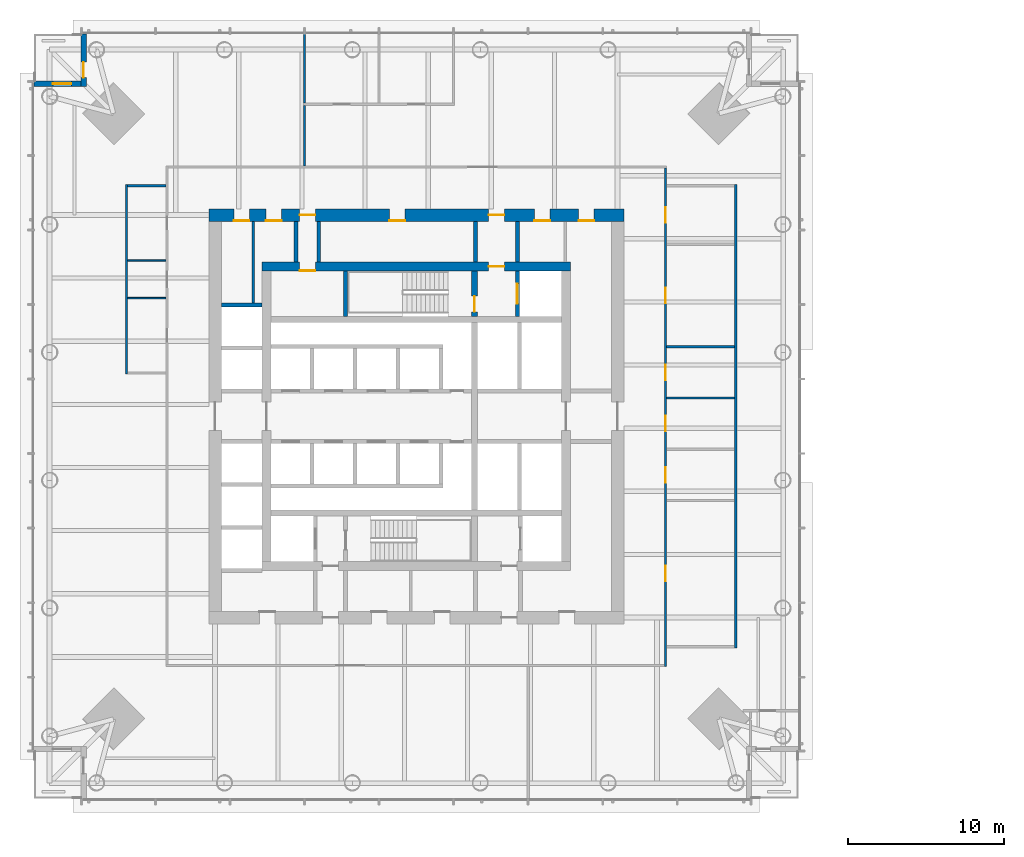
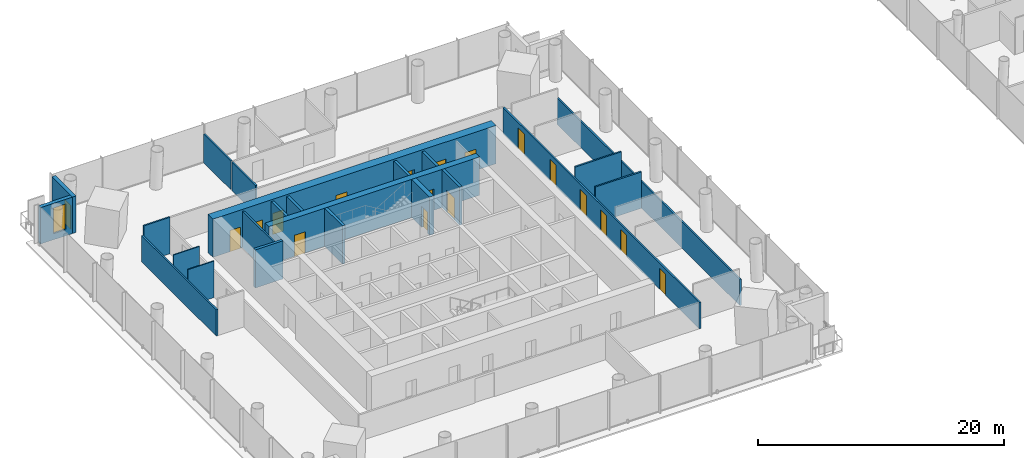
# One storey, part 11 of 26: 23 walls, 18 doors, 1 window, 19 openings.
"""IFC4 building model written with IfcOpenShell, lengths in metres."""

from ifc_helpers import new_model, si_unit, direction, frame, frame_2d, origin, place, context, subcontext, project, spatial, rectangle, extrude, material, layer, layer_set, type_object, element, fill, save


model = new_model("IFC4")

# Units and contexts
model_context = context("Model", 3, precision=1e-05, world=origin(), true_north=direction((0.0, 1.0)))
body_context = subcontext(model_context, "Body", "Model", "MODEL_VIEW")
ifc_project = project(units=[si_unit("LENGTHUNIT", "METRE"), si_unit("AREAUNIT", "SQUARE_METRE"), si_unit("VOLUMEUNIT", "CUBIC_METRE"), si_unit("PLANEANGLEUNIT", "RADIAN"), si_unit("MASSUNIT", "GRAM", prefix="KILO")], contexts=[model_context])

# Site, building, storey
site_placement = place(None, origin())
site = spatial("IfcSite", under=ifc_project, at=site_placement, CompositionType="ELEMENT")
building_placement = place(site_placement, origin())
building = spatial("IfcBuilding", under=site, at=building_placement, Name="Ostroluk Exchange", CompositionType="ELEMENT")
storey_placement = place(building_placement, frame((0.0, 0.0, 36.199951171875)))
storey = spatial("IfcBuildingStorey", under=building, at=storey_placement, Name="L08", CompositionType="ELEMENT", Elevation=36.199951171875)

# Walls
ifc_material_1 = material(Name="Concrete blockwork", Category="masonry")
ifc_layer_1 = layer(ifc_material_1, 0.10009765625)
ifc_layer_set_1 = layer_set([ifc_layer_1], Name="Blockwork WC wall 100")
wall_type_1 = type_object("IfcWallType", Name="Blockwork WC wall 100", PredefinedType="SOLIDWALL", material=ifc_layer_set_1)
for number, where, z_axis, x_axis, name in (
    (1, (28.949951171875, 55.97509765625, 0.0), (0.0, 0.0, 1.0), (-1.0, 0.0, 0.0), "Blockwork WC wall"),
    (2, (28.949951171875, 53.574951171875, 0.0), (0.0, 0.0, 1.0), (-1.0, 0.0, 0.0), "Blockwork WC wall"),
):
    element("IfcWall", number, at=place(storey_placement, frame(where, z_axis=z_axis, x_axis=x_axis)), inside=storey, type_object=wall_type_1, Name=name, PredefinedType="SOLIDWALL", context=body_context, shape_type="SweptSolid", body=[
        extrude(rectangle(XDim=2.449951171875, YDim=0.10009765625, at=frame_2d((1.22509765625, 0.0))), origin(), (0.0, 0.0, 1.0), 3.6201171875),
    ])
ifc_material_2 = material(Name="Concrete blockwork", Category="masonry")
ifc_layer_2 = layer(ifc_material_2, 0.14990234375)
ifc_layer_set_2 = layer_set([ifc_layer_2], Name="Blockwork plant room wall 150")
wall_type_2 = type_object("IfcWallType", Name="Blockwork plant room wall 150", PredefinedType="SOLIDWALL", material=ifc_layer_set_2)
wall_1_placement = place(storey_placement, frame((34.556884765625, 53.25, 0.0), z_axis=(0.0, 0.0, 1.0), x_axis=(0.0, 1.0, 0.0)))
element("IfcWall", 3, at=wall_1_placement, inside=storey, type_object=wall_type_2, Name="Core room wall", PredefinedType="SOLIDWALL", context=body_context, shape_type="SweptSolid", body=[
    extrude(rectangle(XDim=5.25, YDim=0.14990234375, at=frame_2d((2.625, 0.0))), origin(), (0.0, 0.0, 1.0), 3.6201171875),
])
ifc_material_3 = material(Name="Concrete blockwork", Category="masonry")
ifc_layer_3 = layer(ifc_material_3, 0.25)
ifc_layer_set_3 = layer_set([ifc_layer_3], Name="Blockwork stair enclosure wall 250")
wall_type_3 = type_object("IfcWallType", Name="Blockwork stair enclosure wall 250", PredefinedType="SOLIDWALL", material=ifc_layer_set_3)
for number, where, z_axis, x_axis, name in (
    (4, (48.804931640625, 55.89990234375, 0.0), (0.0, 0.0, 1.0), (0.0, 1.0, 0.0), "Fire lobby enclosure wall"),
    (5, (51.47509765625, 55.89990234375, 0.0), (0.0, 0.0, 1.0), (0.0, 1.0, 0.0), "Fire lobby enclosure wall"),
    (6, (37.300048828125, 55.89990234375, 0.0), (0.0, 0.0, 1.0), (0.0, 1.0, 0.0), "Core corridor wall"),
    (7, (38.75, 55.89990234375, 0.0), (0.0, 0.0, 1.0), (0.0, 1.0, 0.0), "Core corridor wall"),
):
    element("IfcWall", number, at=place(storey_placement, frame(where, z_axis=z_axis, x_axis=x_axis)), inside=storey, type_object=wall_type_3, Name=name, PredefinedType="SOLIDWALL", context=body_context, shape_type="SweptSolid", body=[
        extrude(rectangle(XDim=2.60009765625, YDim=0.25, at=frame_2d((1.300048828125, 0.0))), origin(), (0.0, 0.0, 1.0), 3.6201171875),
    ])

# Wall, opening, door
ifc_material_4 = material(Name="Concrete C50/60", Category="concrete")
ifc_layer_4 = layer(ifc_material_4, 0.39990234375)
ifc_layer_set_4 = layer_set([ifc_layer_4], Name="Core cross wall 400 C50/60")
wall_type_4 = type_object("IfcWallType", Name="Core cross wall 400 C50/60", PredefinedType="SHEAR", material=ifc_layer_set_4)
wall_2_placement = place(storey_placement, frame((48.72998046875, 52.39990234375, 0.0), z_axis=(0.0, 0.0, 1.0), x_axis=(0.0, 1.0, 0.0)))
wall_2 = element("IfcWall", 8, at=wall_2_placement, inside=storey, type_object=wall_type_4, Name="T1 core wall YE3", PredefinedType="SHEAR", context=body_context, shape_type="SweptSolid", body=[
    extrude(rectangle(XDim=2.900146484375, YDim=0.39990234375, at=frame_2d((1.4501953125, 0.0))), origin(), (0.0, 0.0, 1.0), 3.800048828125),
])
opening_1_placement = place(wall_2_placement, frame((0.300048828125, 0.0, 0.0)))
opening_1 = element("IfcOpeningElement", 9, at=opening_1_placement, cuts=wall_2, Name="Opening FD60", PredefinedType="OPENING", context=body_context, shape_type="SweptSolid", body=[
    extrude(rectangle(XDim=1.0, YDim=2.10009765625, at=frame_2d((0.5, 1.050048828125))), frame((0.0, 0.2099609375, 0.0), z_axis=(0.0, -1.0, 0.0), x_axis=(1.0, 0.0, 0.0)), (0.0, 0.0, 1.0), 0.419921875),
])
ifc_material_5 = material(Name="Steel", Category="steel")
door_type_1 = type_object("IfcDoorType", Name="Fire door EI 60 1000 x 2100", OperationType="SINGLE_SWING_LEFT", PredefinedType="DOOR", material=ifc_material_5)
door_1_placement = place(opening_1_placement, origin())
door_1 = element("IfcDoor", 10, at=door_1_placement, inside=storey, type_object=door_type_1, Name="Stair T1-S2 door", OperationType="SINGLE_SWING_LEFT", OverallHeight=2.10009765625, OverallWidth=1.0, PredefinedType="DOOR", context=body_context, shape_type="SweptSolid", body=[
    extrude(rectangle(XDim=1.0, YDim=2.10009765625, at=frame_2d((0.5, 1.050048828125))), frame((0.0, 0.02490234375, 0.0), z_axis=(0.0, -1.0, 0.0), x_axis=(1.0, 0.0, 0.0)), (0.0, 0.0, 1.0), 0.050048828125),
])
fill(opening_1, door_1)

# Wall
ifc_material_6 = material(Name="Concrete C40/50", Category="concrete")
ifc_layer_5 = layer(ifc_material_6, 0.25)
ifc_layer_set_5 = layer_set([ifc_layer_5], Name="Core shaft wall 250")
wall_type_5 = type_object("IfcWallType", Name="Core shaft wall 250", PredefinedType="SHEAR", material=ifc_layer_set_5)
wall_3_placement = place(storey_placement, frame((40.47509765625, 52.39990234375, 0.0), z_axis=(0.0, 0.0, 1.0), x_axis=(0.0, 1.0, 0.0)))
element("IfcWall", 11, at=wall_3_placement, inside=storey, type_object=wall_type_5, Name="Stair shaft wall", PredefinedType="SHEAR", context=body_context, shape_type="SweptSolid", body=[
    extrude(rectangle(XDim=2.900146484375, YDim=0.25, at=frame_2d((1.4501953125, 0.0))), origin(), (0.0, 0.0, 1.0), 3.800048828125),
])

# Wall, opening, door
wall_4_placement = place(storey_placement, frame((51.47509765625, 52.39990234375, 0.0), z_axis=(0.0, 0.0, 1.0), x_axis=(0.0, 1.0, 0.0)))
wall_4 = element("IfcWall", 12, at=wall_4_placement, inside=storey, type_object=wall_type_5, Name="Firefighting lift shaft wall", PredefinedType="SHEAR", context=body_context, shape_type="SweptSolid", body=[
    extrude(rectangle(XDim=2.900146484375, YDim=0.25, at=frame_2d((1.4501953125, 0.0))), origin(), (0.0, 0.0, 1.0), 3.800048828125),
])
opening_2_placement = place(wall_4_placement, frame((0.800048828125, 0.0, 0.0)))
opening_2 = element("IfcOpeningElement", 13, at=opening_2_placement, cuts=wall_4, Name="Opening LD2", PredefinedType="OPENING", context=body_context, shape_type="SweptSolid", body=[
    extrude(rectangle(XDim=1.300048828125, YDim=2.199951171875, at=frame_2d((0.64990234375, 1.10009765625))), frame((0.0, 0.135009765625, 0.0), z_axis=(0.0, -1.0, 0.0), x_axis=(1.0, 0.0, 0.0)), (0.0, 0.0, 1.0), 0.27001953125),
])
ifc_material_7 = material(Name="Stainless steel", Category="steel")
door_type_2 = type_object("IfcDoorType", Name="Lift landing door E 60 1300 x 2200", OperationType="DOUBLE_DOOR_SLIDING", PredefinedType="DOOR", material=ifc_material_7)
door_2_placement = place(opening_2_placement, origin())
door_2 = element("IfcDoor", 14, at=door_2_placement, inside=storey, type_object=door_type_2, Name="Lift FL2 landing door", OperationType="DOUBLE_DOOR_SLIDING", OverallHeight=2.199951171875, OverallWidth=1.300048828125, PredefinedType="DOOR", context=body_context, shape_type="SweptSolid", body=[
    extrude(rectangle(XDim=1.300048828125, YDim=2.199951171875, at=frame_2d((0.64990234375, 1.10009765625))), frame((0.0, 0.02490234375, 0.0), z_axis=(0.0, -1.0, 0.0), x_axis=(1.0, 0.0, 0.0)), (0.0, 0.0, 1.0), 0.050048828125),
])
fill(opening_2, door_2)

# Wall
wall_5_placement = place(storey_placement, frame((32.5, 53.125, 0.0), z_axis=(0.0, 0.0, 1.0), x_axis=(1.0, 0.0, 0.0)))
element("IfcWall", 15, at=wall_5_placement, inside=storey, type_object=wall_type_5, Name="Lift shaft wall", PredefinedType="SHEAR", context=body_context, shape_type="SweptSolid", body=[
    extrude(rectangle(XDim=2.60009765625, YDim=0.25, at=frame_2d((1.300048828125, 0.0))), origin(), (0.0, 0.0, 1.0), 3.800048828125),
])

# Wall, openings, doors
ifc_material_8 = material(Name="Concrete C50/60", Category="concrete")
ifc_layer_6 = layer(ifc_material_8, 0.60009765625)
ifc_layer_set_6 = layer_set([ifc_layer_6], Name="Core wall 600 C50/60")
wall_type_6 = type_object("IfcWallType", Name="Core wall 600 C50/60", PredefinedType="SHEAR", material=ifc_layer_set_6)
wall_6_placement = place(storey_placement, frame((35.10009765625, 55.60009765625, 0.0), z_axis=(0.0, 0.0, 1.0), x_axis=(1.0, 0.0, 0.0)))
wall_6 = element("IfcWall", 16, at=wall_6_placement, inside=storey, type_object=wall_type_6, Name="T1 core wall N", PredefinedType="SHEAR", context=body_context, shape_type="SweptSolid", body=[
    extrude(rectangle(XDim=19.7998046875, YDim=0.60009765625, at=frame_2d((9.89990234375, 0.0))), origin(), (0.0, 0.0, 1.0), 3.800048828125),
])
opening_3_placement = place(wall_6_placement, frame((14.5400390625, 0.0, 0.0)))
opening_3 = element("IfcOpeningElement", 17, at=opening_3_placement, cuts=wall_6, Name="Opening FD60", PredefinedType="OPENING", context=body_context, shape_type="SweptSolid", body=[
    extrude(rectangle(XDim=1.0, YDim=2.10009765625, at=frame_2d((0.5, 1.050048828125))), frame((0.0, 0.31005859375, 0.0), z_axis=(0.0, -1.0, 0.0), x_axis=(1.0, 0.0, 0.0)), (0.0, 0.0, 1.0), 0.6201171875),
])
opening_4_placement = place(wall_6_placement, frame((2.425048828125, 0.0, 0.0)))
opening_4 = element("IfcOpeningElement", 18, at=opening_4_placement, cuts=wall_6, Name="Opening FD60", PredefinedType="OPENING", context=body_context, shape_type="SweptSolid", body=[
    extrude(rectangle(XDim=1.0, YDim=2.10009765625, at=frame_2d((0.5, 1.050048828125))), frame((0.0, 0.31005859375, 0.0), z_axis=(0.0, -1.0, 0.0), x_axis=(1.0, 0.0, 0.0)), (0.0, 0.0, 1.0), 0.6201171875),
])
door_3_placement = place(opening_3_placement, origin())
door_3 = element("IfcDoor", 19, at=door_3_placement, inside=storey, type_object=door_type_1, Name="Firefighting lobby door", OperationType="SINGLE_SWING_RIGHT", OverallHeight=2.10009765625, OverallWidth=1.0, PredefinedType="DOOR", context=body_context, shape_type="SweptSolid", body=[
    extrude(rectangle(XDim=1.0, YDim=2.10009765625, at=frame_2d((0.5, 1.050048828125))), frame((0.0, 0.02490234375, 0.0), z_axis=(0.0, -1.0, 0.0), x_axis=(1.0, 0.0, 0.0)), (0.0, 0.0, 1.0), 0.050048828125),
])
fill(opening_3, door_3)
door_4_placement = place(opening_4_placement, origin())
door_4 = element("IfcDoor", 20, at=door_4_placement, inside=storey, type_object=door_type_1, Name="Tea point door", OperationType="SINGLE_SWING_LEFT", OverallHeight=2.10009765625, OverallWidth=1.0, PredefinedType="DOOR", context=body_context, shape_type="SweptSolid", body=[
    extrude(rectangle(XDim=1.0, YDim=2.10009765625, at=frame_2d((0.5, 1.050048828125))), frame((0.0, -0.23974609375, 0.0), z_axis=(0.0, -1.0, 0.0), x_axis=(1.0, 0.0, 0.0)), (0.0, 0.0, 1.0), 0.050048828125),
])
fill(opening_4, door_4)

ifc_material_9 = material(Name="Concrete C50/60", Category="concrete")
ifc_layer_7 = layer(ifc_material_9, 0.800048828125)
ifc_layer_set_7 = layer_set([ifc_layer_7], Name="Core wall 800 C50/60")
wall_type_7 = type_object("IfcWallType", Name="Core wall 800 C50/60", PredefinedType="SHEAR", material=ifc_layer_set_7)
wall_7_placement = place(storey_placement, frame((31.699951171875, 58.89990234375, 0.0), z_axis=(0.0, 0.0, 1.0), x_axis=(1.0, 0.0, 0.0)))
wall_7 = element("IfcWall", 21, at=wall_7_placement, inside=storey, type_object=wall_type_7, Name="T1 core wall RN", PredefinedType="SHEAR", context=body_context, shape_type="SweptSolid", body=[
    extrude(rectangle(XDim=26.60009765625, YDim=0.800048828125, at=frame_2d((13.300048828125, 0.0))), origin(), (0.0, 0.0, 1.0), 3.800048828125),
])
opening_5_placement = place(wall_7_placement, frame((17.93994140625, 0.0, 0.0)))
opening_5 = element("IfcOpeningElement", 22, at=opening_5_placement, cuts=wall_7, Name="Opening FD60", PredefinedType="OPENING", context=body_context, shape_type="SweptSolid", body=[
    extrude(rectangle(XDim=1.0, YDim=2.10009765625, at=frame_2d((0.5, 1.050048828125))), frame((0.0, 0.409912109375, 0.0), z_axis=(0.0, -1.0, 0.0), x_axis=(1.0, 0.0, 0.0)), (0.0, 0.0, 1.0), 0.820068359375),
])
opening_6_placement = place(wall_7_placement, frame((5.824951171875, 0.0, 0.0)))
opening_6 = element("IfcOpeningElement", 23, at=opening_6_placement, cuts=wall_7, Name="Opening FD60", PredefinedType="OPENING", context=body_context, shape_type="SweptSolid", body=[
    extrude(rectangle(XDim=1.0, YDim=2.10009765625, at=frame_2d((0.5, 1.050048828125))), frame((0.0, 0.409912109375, 0.0), z_axis=(0.0, -1.0, 0.0), x_axis=(1.0, 0.0, 0.0)), (0.0, 0.0, 1.0), 0.820068359375),
])
opening_7_placement = place(wall_7_placement, frame((1.60693359375, 0.0, 0.0)))
opening_7 = element("IfcOpeningElement", 24, at=opening_7_placement, cuts=wall_7, Name="Opening FD60", PredefinedType="OPENING", context=body_context, shape_type="SweptSolid", body=[
    extrude(rectangle(XDim=1.0, YDim=2.10009765625, at=frame_2d((0.5, 1.050048828125))), frame((0.0, 0.409912109375, 0.0), z_axis=(0.0, -1.0, 0.0), x_axis=(1.0, 0.0, 0.0)), (0.0, 0.0, 1.0), 0.820068359375),
])
opening_8_placement = place(wall_7_placement, frame((3.666015625, 0.0, 0.0)))
opening_8 = element("IfcOpeningElement", 25, at=opening_8_placement, cuts=wall_7, Name="Opening FD60", PredefinedType="OPENING", context=body_context, shape_type="SweptSolid", body=[
    extrude(rectangle(XDim=1.0, YDim=2.10009765625, at=frame_2d((0.5, 1.050048828125))), frame((0.0, 0.409912109375, 0.0), z_axis=(0.0, -1.0, 0.0), x_axis=(1.0, 0.0, 0.0)), (0.0, 0.0, 1.0), 0.820068359375),
])
opening_9_placement = place(wall_7_placement, frame((11.577392578125, 0.0, 0.0)))
opening_9 = element("IfcOpeningElement", 26, at=opening_9_placement, cuts=wall_7, Name="Opening FD60", PredefinedType="OPENING", context=body_context, shape_type="SweptSolid", body=[
    extrude(rectangle(XDim=1.0, YDim=2.10009765625, at=frame_2d((0.5, 1.050048828125))), frame((0.0, 0.409912109375, 0.0), z_axis=(0.0, -1.0, 0.0), x_axis=(1.0, 0.0, 0.0)), (0.0, 0.0, 1.0), 0.820068359375),
])
opening_10_placement = place(wall_7_placement, frame((20.875, 0.0, 0.0)))
opening_10 = element("IfcOpeningElement", 27, at=opening_10_placement, cuts=wall_7, Name="Opening FD60", PredefinedType="OPENING", context=body_context, shape_type="SweptSolid", body=[
    extrude(rectangle(XDim=1.0, YDim=2.10009765625, at=frame_2d((0.5, 1.050048828125))), frame((0.0, 0.409912109375, 0.0), z_axis=(0.0, -1.0, 0.0), x_axis=(1.0, 0.0, 0.0)), (0.0, 0.0, 1.0), 0.820068359375),
])
opening_11_placement = place(wall_7_placement, frame((23.699951171875, 0.0, 0.0)))
opening_11 = element("IfcOpeningElement", 28, at=opening_11_placement, cuts=wall_7, Name="Opening FD60", PredefinedType="OPENING", context=body_context, shape_type="SweptSolid", body=[
    extrude(rectangle(XDim=1.0, YDim=2.10009765625, at=frame_2d((0.5, 1.050048828125))), frame((0.0, 0.409912109375, 0.0), z_axis=(0.0, -1.0, 0.0), x_axis=(1.0, 0.0, 0.0)), (0.0, 0.0, 1.0), 0.820068359375),
])
door_5_placement = place(opening_5_placement, origin())
door_5 = element("IfcDoor", 29, at=door_5_placement, inside=storey, type_object=door_type_1, Name="Firefighting lobby door", OperationType="SINGLE_SWING_RIGHT", OverallHeight=2.10009765625, OverallWidth=1.0, PredefinedType="DOOR", context=body_context, shape_type="SweptSolid", body=[
    extrude(rectangle(XDim=1.0, YDim=2.10009765625, at=frame_2d((0.5, 1.050048828125))), frame((0.0, 0.02490234375, 0.0), z_axis=(0.0, -1.0, 0.0), x_axis=(1.0, 0.0, 0.0)), (0.0, 0.0, 1.0), 0.050048828125),
])
fill(opening_5, door_5)
door_6_placement = place(opening_6_placement, origin())
door_6 = element("IfcDoor", 30, at=door_6_placement, inside=storey, type_object=door_type_1, Name="Core corridor door", OperationType="SINGLE_SWING_LEFT", OverallHeight=2.10009765625, OverallWidth=1.0, PredefinedType="DOOR", context=body_context, shape_type="SweptSolid", body=[
    extrude(rectangle(XDim=1.0, YDim=2.10009765625, at=frame_2d((0.5, 1.050048828125))), frame((0.0, 0.02490234375, 0.0), z_axis=(0.0, -1.0, 0.0), x_axis=(1.0, 0.0, 0.0)), (0.0, 0.0, 1.0), 0.050048828125),
])
fill(opening_6, door_6)
door_7_placement = place(opening_7_placement, origin())
door_7 = element("IfcDoor", 31, at=door_7_placement, inside=storey, type_object=door_type_1, Name="Tenant IT room door", OperationType="SINGLE_SWING_LEFT", OverallHeight=2.10009765625, OverallWidth=1.0, PredefinedType="DOOR", context=body_context, shape_type="SweptSolid", body=[
    extrude(rectangle(XDim=1.0, YDim=2.10009765625, at=frame_2d((0.5, 1.050048828125))), frame((0.0, -0.33984375, 0.0), z_axis=(0.0, -1.0, 0.0), x_axis=(1.0, 0.0, 0.0)), (0.0, 0.0, 1.0), 0.050048828125),
])
fill(opening_7, door_7)
door_8_placement = place(opening_8_placement, origin())
door_8 = element("IfcDoor", 32, at=door_8_placement, inside=storey, type_object=door_type_1, Name="First aid room door", OperationType="SINGLE_SWING_LEFT", OverallHeight=2.10009765625, OverallWidth=1.0, PredefinedType="DOOR", context=body_context, shape_type="SweptSolid", body=[
    extrude(rectangle(XDim=1.0, YDim=2.10009765625, at=frame_2d((0.5, 1.050048828125))), frame((0.0, -0.33984375, 0.0), z_axis=(0.0, -1.0, 0.0), x_axis=(1.0, 0.0, 0.0)), (0.0, 0.0, 1.0), 0.050048828125),
])
fill(opening_8, door_8)
door_9_placement = place(opening_9_placement, origin())
door_9 = element("IfcDoor", 33, at=door_9_placement, inside=storey, type_object=door_type_1, Name="Print and post room door", OperationType="SINGLE_SWING_LEFT", OverallHeight=2.10009765625, OverallWidth=1.0, PredefinedType="DOOR", context=body_context, shape_type="SweptSolid", body=[
    extrude(rectangle(XDim=1.0, YDim=2.10009765625, at=frame_2d((0.5, 1.050048828125))), frame((0.0, -0.33984375, 0.0), z_axis=(0.0, -1.0, 0.0), x_axis=(1.0, 0.0, 0.0)), (0.0, 0.0, 1.0), 0.050048828125),
])
fill(opening_9, door_9)
door_10_placement = place(opening_10_placement, origin())
door_10 = element("IfcDoor", 34, at=door_10_placement, inside=storey, type_object=door_type_1, Name="First aid room door", OperationType="SINGLE_SWING_RIGHT", OverallHeight=2.10009765625, OverallWidth=1.0, PredefinedType="DOOR", context=body_context, shape_type="SweptSolid", body=[
    extrude(rectangle(XDim=1.0, YDim=2.10009765625, at=frame_2d((0.5, 1.050048828125))), frame((0.0, -0.33984375, 0.0), z_axis=(0.0, -1.0, 0.0), x_axis=(1.0, 0.0, 0.0)), (0.0, 0.0, 1.0), 0.050048828125),
])
fill(opening_10, door_10)
door_11_placement = place(opening_11_placement, origin())
door_11 = element("IfcDoor", 35, at=door_11_placement, inside=storey, type_object=door_type_1, Name="Tea point door", OperationType="SINGLE_SWING_RIGHT", OverallHeight=2.10009765625, OverallWidth=1.0, PredefinedType="DOOR", context=body_context, shape_type="SweptSolid", body=[
    extrude(rectangle(XDim=1.0, YDim=2.10009765625, at=frame_2d((0.5, 1.050048828125))), frame((0.0, -0.33984375, 0.0), z_axis=(0.0, -1.0, 0.0), x_axis=(1.0, 0.0, 0.0)), (0.0, 0.0, 1.0), 0.050048828125),
])
fill(opening_11, door_11)

# Wall, opening, door
ifc_material_10 = material(Name="Limestone", Category="masonry")
ifc_layer_8 = layer(ifc_material_10, 0.35009765625)
ifc_layer_set_8 = layer_set([ifc_layer_8], Name="Limestone facade wall 350")
wall_type_8 = type_object("IfcWallType", Name="Limestone facade wall 350", PredefinedType="SOLIDWALL", material=ifc_layer_set_8)
wall_8_placement = place(storey_placement, frame((23.675048828125, 70.5, 0.0), z_axis=(0.0, 0.0, 1.0), x_axis=(0.0, -1.0, 0.0)))
wall_8 = element("IfcWall", 36, at=wall_8_placement, inside=storey, type_object=wall_type_8, Name="Office tower NW corner wall L08 a", PredefinedType="SOLIDWALL", context=body_context, shape_type="SweptSolid", body=[
    extrude(rectangle(XDim=3.35009765625, YDim=0.35009765625, at=frame_2d((1.675048828125, 0.0))), origin(), (0.0, 0.0, 1.0), 3.6201171875),
])
opening_12_placement = place(wall_8_placement, frame((1.800048828125, 0.0, 0.0)))
opening_12 = element("IfcOpeningElement", 37, at=opening_12_placement, cuts=wall_8, Name="Opening D-B1", PredefinedType="OPENING", context=body_context, shape_type="SweptSolid", body=[
    extrude(rectangle(XDim=1.0, YDim=2.39990234375, at=frame_2d((0.5, 1.199951171875))), frame((0.0, 0.18505859375, 0.0), z_axis=(0.0, -1.0, 0.0), x_axis=(1.0, 0.0, 0.0)), (0.0, 0.0, 1.0), 0.3701171875),
])
ifc_material_11 = material(Name="Bronze framed glazed door", Category="aluminium")
door_type_3 = type_object("IfcDoorType", Name="Balcony door 1000 x 2400", OperationType="SINGLE_SWING_LEFT", PredefinedType="DOOR", material=ifc_material_11)
door_12_placement = place(opening_12_placement, origin())
door_12 = element("IfcDoor", 38, at=door_12_placement, inside=storey, type_object=door_type_3, Name="Office tower NW balcony door L08", OperationType="SINGLE_SWING_RIGHT", OverallHeight=2.39990234375, OverallWidth=1.0, PredefinedType="DOOR", context=body_context, shape_type="SweptSolid", body=[
    extrude(rectangle(XDim=1.0, YDim=2.39990234375, at=frame_2d((0.5, 1.199951171875))), frame((0.0, 0.02490234375, 0.0), z_axis=(0.0, -1.0, 0.0), x_axis=(1.0, 0.0, 0.0)), (0.0, 0.0, 1.0), 0.050048828125),
])
fill(opening_12, door_12)

# Wall, opening, window
wall_9_placement = place(storey_placement, frame((23.5, 67.324951171875, 0.0), z_axis=(0.0, 0.0, 1.0), x_axis=(-1.0, 0.0, 0.0)))
wall_9 = element("IfcWall", 39, at=wall_9_placement, inside=storey, type_object=wall_type_8, Name="Office tower NW corner wall L08 b", PredefinedType="SOLIDWALL", context=body_context, shape_type="SweptSolid", body=[
    extrude(rectangle(XDim=3.0, YDim=0.35009765625, at=frame_2d((1.5, 0.0))), origin(), (0.0, 0.0, 1.0), 3.6201171875),
])
opening_13_placement = place(wall_9_placement, frame((0.60009765625, 0.0, 0.60009765625)))
opening_13 = element("IfcOpeningElement", 40, at=opening_13_placement, cuts=wall_9, Name="Opening WN-L1", PredefinedType="OPENING", context=body_context, shape_type="SweptSolid", body=[
    extrude(rectangle(XDim=1.199951171875, YDim=2.550048828125, at=frame_2d((0.60009765625, 1.27490234375))), frame((0.0, 0.18505859375, 0.0), z_axis=(0.0, -1.0, 0.0), x_axis=(1.0, 0.0, 0.0)), (0.0, 0.0, 1.0), 0.3701171875),
])
ifc_material_12 = material(Name="Laminated clear glass", Category="glass")
window_type = type_object("IfcWindowType", Name="Lancet window 1200 x 2550", PartitioningType="SINGLE_PANEL", PredefinedType="WINDOW", material=ifc_material_12)
window_placement = place(opening_13_placement, origin())
window = element("IfcWindow", 41, at=window_placement, inside=storey, type_object=window_type, Name="Office tower NW lancet window L08", OverallHeight=2.550048828125, OverallWidth=1.199951171875, PartitioningType="SINGLE_PANEL", PredefinedType="WINDOW", context=body_context, shape_type="SweptSolid", body=[
    extrude(rectangle(XDim=1.199951171875, YDim=2.550048828125, at=frame_2d((0.60009765625, 1.27490234375))), frame((0.0, 0.030029296875, 0.0), z_axis=(0.0, -1.0, 0.0), x_axis=(1.0, 0.0, 0.0)), (0.0, 0.0, 1.0), 0.06005859375),
])
fill(opening_13, window)

# Walls
ifc_material_13 = material(Name="Gypsum plasterboard partition", Category="gypsum")
ifc_layer_9 = layer(ifc_material_13, 0.14990234375)
ifc_layer_set_9 = layer_set([ifc_layer_9], Name="Plasterboard partition 150")
wall_type_9 = type_object("IfcWallType", Name="Plasterboard partition 150", PredefinedType="PARTITIONING", material=ifc_layer_set_9)
for number, where, z_axis, x_axis, name in (
    (42, (61.050048828125, 47.172607421875, 0.0), (0.0, 0.0, 1.0), (1.0, 0.0, 0.0), "Partition"),
    (43, (61.050048828125, 50.4560546875, 0.0), (0.0, 0.0, 1.0), (1.0, 0.0, 0.0), "Partition"),
):
    element("IfcWall", number, at=place(storey_placement, frame(where, z_axis=z_axis, x_axis=x_axis)), inside=storey, type_object=wall_type_9, Name=name, PredefinedType="PARTITIONING", context=body_context, shape_type="SweptSolid", body=[
        extrude(rectangle(XDim=4.349853515625, YDim=0.14990234375, at=frame_2d((2.1748046875, 0.0))), origin(), (0.0, 0.0, 1.0), 3.6201171875),
    ])
wall_10_placement = place(storey_placement, frame((65.47509765625, 31.14990234375, 0.0), z_axis=(0.0, 0.0, 1.0), x_axis=(0.0, 1.0, 0.0)))
element("IfcWall", 44, at=wall_10_placement, inside=storey, type_object=wall_type_9, Name="Partition", PredefinedType="PARTITIONING", context=body_context, shape_type="SweptSolid", body=[
    extrude(rectangle(XDim=29.7001953125, YDim=0.14990234375, at=frame_2d((14.85009765625, 0.0))), origin(), (0.0, 0.0, 1.0), 2.612060546875),
])
wall_11_placement = place(storey_placement, frame((37.833251953125, 66.074951171875, 0.0), z_axis=(0.0, 0.0, 1.0), x_axis=(0.0, 1.0, 0.0)))
element("IfcWall", 45, at=wall_11_placement, inside=storey, type_object=wall_type_9, Name="Partition", PredefinedType="PARTITIONING", context=body_context, shape_type="SweptSolid", body=[
    extrude(rectangle(XDim=4.465087890625, YDim=0.14990234375, at=frame_2d((2.232421875, 0.0))), origin(), (0.0, 0.0, 1.0), 2.85009765625),
])
wall_12_placement = place(storey_placement, frame((37.833251953125, 62.050048828125, 0.0), z_axis=(0.0, 0.0, 1.0), x_axis=(0.0, 1.0, 0.0)))
element("IfcWall", 46, at=wall_12_placement, inside=storey, type_object=wall_type_9, Name="Tenancy partition", PredefinedType="PARTITIONING", context=body_context, shape_type="SweptSolid", body=[
    extrude(rectangle(XDim=3.875, YDim=0.14990234375, at=frame_2d((1.9375, 0.0))), origin(), (0.0, 0.0, 1.0), 2.85009765625),
])

# Wall, openings, doors
wall_13_placement = place(storey_placement, frame((60.97509765625, 29.949951171875, 0.0), z_axis=(0.0, 0.0, 1.0), x_axis=(0.0, 1.0, 0.0)))
wall_13 = element("IfcWall", 47, at=wall_13_placement, inside=storey, type_object=wall_type_9, Name="Corridor wall", PredefinedType="PARTITIONING", context=body_context, shape_type="SweptSolid", body=[
    extrude(rectangle(XDim=31.949951171875, YDim=0.14990234375, at=frame_2d((15.97509765625, 0.0))), origin(), (0.0, 0.0, 1.0), 2.612060546875),
])
opening_14_placement = place(wall_13_placement, frame((5.465576171875, 0.0, 0.0)))
opening_14 = element("IfcOpeningElement", 48, at=opening_14_placement, cuts=wall_13, Name="Opening D-03", PredefinedType="OPENING", context=body_context, shape_type="SweptSolid", body=[
    extrude(rectangle(XDim=1.0, YDim=2.10009765625, at=frame_2d((0.5, 1.050048828125))), frame((0.0, 0.0849609375, 0.0), z_axis=(0.0, -1.0, 0.0), x_axis=(1.0, 0.0, 0.0)), (0.0, 0.0, 1.0), 0.169921875),
])
opening_15_placement = place(wall_13_placement, frame((11.797607421875, 0.0, 0.0)))
opening_15 = element("IfcOpeningElement", 49, at=opening_15_placement, cuts=wall_13, Name="Opening D-03", PredefinedType="OPENING", context=body_context, shape_type="SweptSolid", body=[
    extrude(rectangle(XDim=1.0, YDim=2.10009765625, at=frame_2d((0.5, 1.050048828125))), frame((0.0, 0.0849609375, 0.0), z_axis=(0.0, -1.0, 0.0), x_axis=(1.0, 0.0, 0.0)), (0.0, 0.0, 1.0), 0.169921875),
])
opening_16_placement = place(wall_13_placement, frame((15.0810546875, 0.0, 0.0)))
opening_16 = element("IfcOpeningElement", 50, at=opening_16_placement, cuts=wall_13, Name="Opening D-03", PredefinedType="OPENING", context=body_context, shape_type="SweptSolid", body=[
    extrude(rectangle(XDim=1.0, YDim=2.10009765625, at=frame_2d((0.5, 1.050048828125))), frame((0.0, 0.0849609375, 0.0), z_axis=(0.0, -1.0, 0.0), x_axis=(1.0, 0.0, 0.0)), (0.0, 0.0, 1.0), 0.169921875),
])
opening_17_placement = place(wall_13_placement, frame((18.3642578125, 0.0, 0.0)))
opening_17 = element("IfcOpeningElement", 51, at=opening_17_placement, cuts=wall_13, Name="Opening D-03", PredefinedType="OPENING", context=body_context, shape_type="SweptSolid", body=[
    extrude(rectangle(XDim=1.0, YDim=2.10009765625, at=frame_2d((0.5, 1.050048828125))), frame((0.0, 0.0849609375, 0.0), z_axis=(0.0, -1.0, 0.0), x_axis=(1.0, 0.0, 0.0)), (0.0, 0.0, 1.0), 0.169921875),
])
opening_18_placement = place(wall_13_placement, frame((23.289306640625, 0.0, 0.0)))
opening_18 = element("IfcOpeningElement", 52, at=opening_18_placement, cuts=wall_13, Name="Opening D-03", PredefinedType="OPENING", context=body_context, shape_type="SweptSolid", body=[
    extrude(rectangle(XDim=1.0, YDim=2.10009765625, at=frame_2d((0.5, 1.050048828125))), frame((0.0, 0.0849609375, 0.0), z_axis=(0.0, -1.0, 0.0), x_axis=(1.0, 0.0, 0.0)), (0.0, 0.0, 1.0), 0.169921875),
])
opening_19_placement = place(wall_13_placement, frame((28.44873046875, 0.0, 0.0)))
opening_19 = element("IfcOpeningElement", 53, at=opening_19_placement, cuts=wall_13, Name="Opening D-03", PredefinedType="OPENING", context=body_context, shape_type="SweptSolid", body=[
    extrude(rectangle(XDim=1.0, YDim=2.10009765625, at=frame_2d((0.5, 1.050048828125))), frame((0.0, 0.0849609375, 0.0), z_axis=(0.0, -1.0, 0.0), x_axis=(1.0, 0.0, 0.0)), (0.0, 0.0, 1.0), 0.169921875),
])
ifc_material_14 = material(Name="Timber", Category="wood")
door_type_4 = type_object("IfcDoorType", Name="Internal door 1000 x 2100", OperationType="SINGLE_SWING_LEFT", PredefinedType="DOOR", material=ifc_material_14)
door_13_placement = place(opening_14_placement, origin())
door_13 = element("IfcDoor", 54, at=door_13_placement, inside=storey, type_object=door_type_4, Name="Meeting room door", OperationType="SINGLE_SWING_LEFT", OverallHeight=2.10009765625, OverallWidth=1.0, PredefinedType="DOOR", context=body_context, shape_type="SweptSolid", body=[
    extrude(rectangle(XDim=1.0, YDim=2.10009765625, at=frame_2d((0.5, 1.050048828125))), frame((0.0, 0.02490234375, 0.0), z_axis=(0.0, -1.0, 0.0), x_axis=(1.0, 0.0, 0.0)), (0.0, 0.0, 1.0), 0.050048828125),
])
fill(opening_14, door_13)
door_14_placement = place(opening_15_placement, origin())
door_14 = element("IfcDoor", 55, at=door_14_placement, inside=storey, type_object=door_type_4, Name="Phone room door", OperationType="SINGLE_SWING_LEFT", OverallHeight=2.10009765625, OverallWidth=1.0, PredefinedType="DOOR", context=body_context, shape_type="SweptSolid", body=[
    extrude(rectangle(XDim=1.0, YDim=2.10009765625, at=frame_2d((0.5, 1.050048828125))), frame((0.0, 0.02490234375, 0.0), z_axis=(0.0, -1.0, 0.0), x_axis=(1.0, 0.0, 0.0)), (0.0, 0.0, 1.0), 0.050048828125),
])
fill(opening_15, door_14)
door_15_placement = place(opening_16_placement, origin())
door_15 = element("IfcDoor", 56, at=door_15_placement, inside=storey, type_object=door_type_4, Name="Phone room door", OperationType="SINGLE_SWING_LEFT", OverallHeight=2.10009765625, OverallWidth=1.0, PredefinedType="DOOR", context=body_context, shape_type="SweptSolid", body=[
    extrude(rectangle(XDim=1.0, YDim=2.10009765625, at=frame_2d((0.5, 1.050048828125))), frame((0.0, 0.02490234375, 0.0), z_axis=(0.0, -1.0, 0.0), x_axis=(1.0, 0.0, 0.0)), (0.0, 0.0, 1.0), 0.050048828125),
])
fill(opening_16, door_15)
door_16_placement = place(opening_17_placement, origin())
door_16 = element("IfcDoor", 57, at=door_16_placement, inside=storey, type_object=door_type_4, Name="Phone room door", OperationType="SINGLE_SWING_RIGHT", OverallHeight=2.10009765625, OverallWidth=1.0, PredefinedType="DOOR", context=body_context, shape_type="SweptSolid", body=[
    extrude(rectangle(XDim=1.0, YDim=2.10009765625, at=frame_2d((0.5, 1.050048828125))), frame((0.0, 0.02490234375, 0.0), z_axis=(0.0, -1.0, 0.0), x_axis=(1.0, 0.0, 0.0)), (0.0, 0.0, 1.0), 0.050048828125),
])
fill(opening_17, door_16)
door_17_placement = place(opening_18_placement, origin())
door_17 = element("IfcDoor", 58, at=door_17_placement, inside=storey, type_object=door_type_4, Name="Pantry door", OperationType="SINGLE_SWING_RIGHT", OverallHeight=2.10009765625, OverallWidth=1.0, PredefinedType="DOOR", context=body_context, shape_type="SweptSolid", body=[
    extrude(rectangle(XDim=1.0, YDim=2.10009765625, at=frame_2d((0.5, 1.050048828125))), frame((0.0, 0.02490234375, 0.0), z_axis=(0.0, -1.0, 0.0), x_axis=(1.0, 0.0, 0.0)), (0.0, 0.0, 1.0), 0.050048828125),
])
fill(opening_18, door_17)
door_18_placement = place(opening_19_placement, origin())
door_18 = element("IfcDoor", 59, at=door_18_placement, inside=storey, type_object=door_type_4, Name="Print and store room door", OperationType="SINGLE_SWING_RIGHT", OverallHeight=2.10009765625, OverallWidth=1.0, PredefinedType="DOOR", context=body_context, shape_type="SweptSolid", body=[
    extrude(rectangle(XDim=1.0, YDim=2.10009765625, at=frame_2d((0.5, 1.050048828125))), frame((0.0, 0.02490234375, 0.0), z_axis=(0.0, -1.0, 0.0), x_axis=(1.0, 0.0, 0.0)), (0.0, 0.0, 1.0), 0.050048828125),
])
fill(opening_19, door_18)

# Walls
ifc_material_15 = material(Name="Gypsum plasterboard partition, moisture resistant", Category="gypsum")
ifc_layer_10 = layer(ifc_material_15, 0.14990234375)
ifc_layer_set_10 = layer_set([ifc_layer_10], Name="Plasterboard toilet partition 150")
wall_type_10 = type_object("IfcWallType", Name="Plasterboard toilet partition 150", PredefinedType="PARTITIONING", material=ifc_layer_set_10)
wall_14_placement = place(storey_placement, frame((26.425048828125, 60.85009765625, 0.0), z_axis=(0.0, 0.0, 1.0), x_axis=(0.0, -1.0, 0.0)))
element("IfcWall", 60, at=wall_14_placement, inside=storey, type_object=wall_type_10, Name="Toilet partition", PredefinedType="PARTITIONING", context=body_context, shape_type="SweptSolid", body=[
    extrude(rectangle(XDim=12.150146484375, YDim=0.14990234375, at=frame_2d((6.0751953125, 0.0))), origin(), (0.0, 0.0, 1.0), 2.612060546875),
])
wall_15_placement = place(storey_placement, frame((28.949951171875, 60.77490234375, 0.0), z_axis=(0.0, 0.0, 1.0), x_axis=(-1.0, 0.0, 0.0)))
element("IfcWall", 61, at=wall_15_placement, inside=storey, type_object=wall_type_10, Name="Toilet partition", PredefinedType="PARTITIONING", context=body_context, shape_type="SweptSolid", body=[
    extrude(rectangle(XDim=2.449951171875, YDim=0.14990234375, at=frame_2d((1.22509765625, 0.0))), origin(), (0.0, 0.0, 1.0), 3.6201171875),
])

save(model, "model.ifc")
